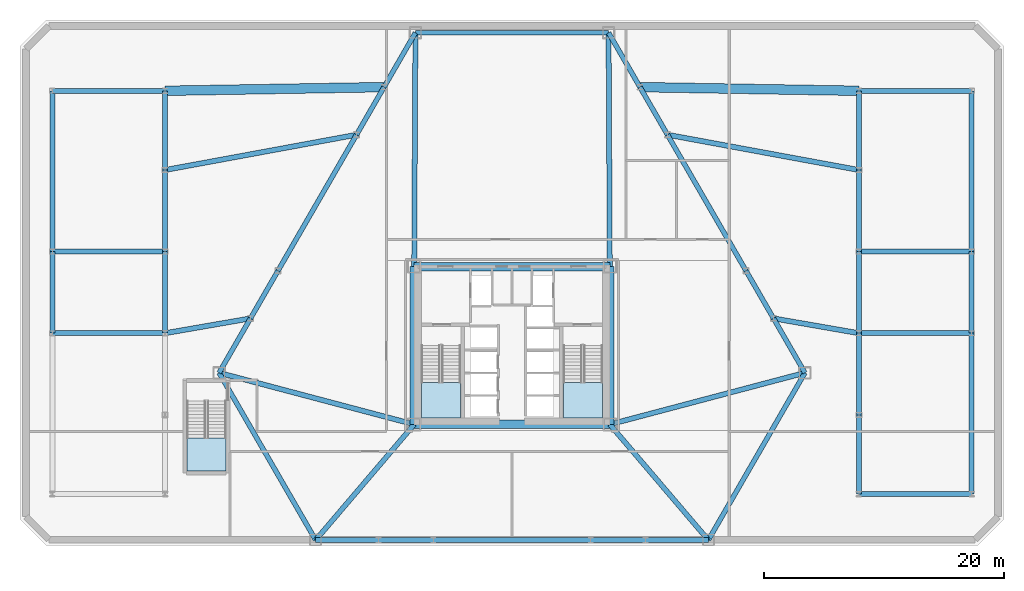
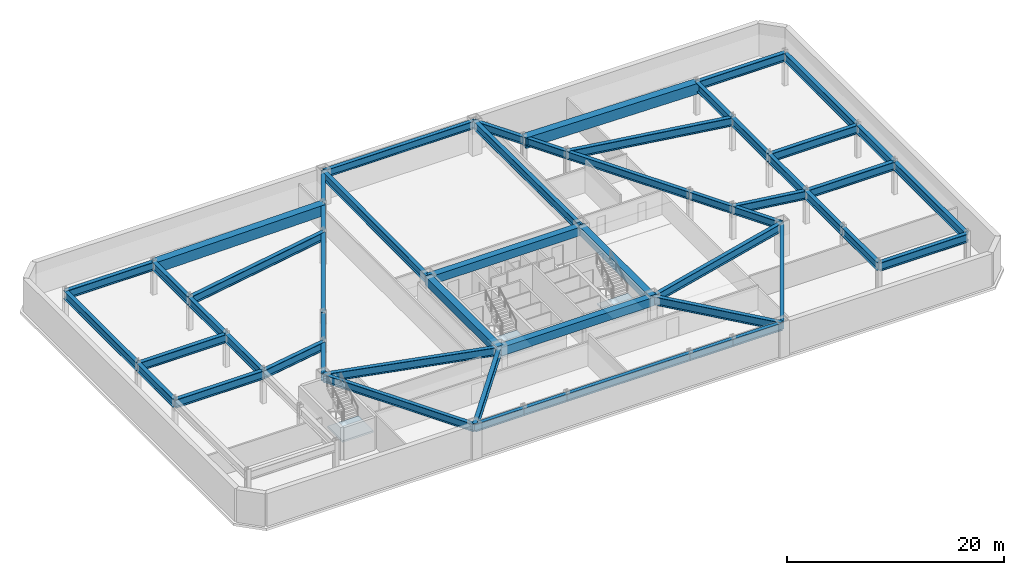
# One storey, part 3 of 10: 54 beams, 3 slabs, 3 elements without a shape of their own.
"""IFC4 building model written with IfcOpenShell, lengths in metres."""

from ifc_helpers import new_model, si_unit, direction, frame, origin, origin_2d, place, context, subcontext, project, spatial, polyline, rectangle, hollow_rectangle, i_section, outline, extrude, material, layer, layer_set, material_profile, profile_set, type_object, element, aggregate, save


model = new_model("IFC4")

# Units and contexts
model_context = context("Model", 3, precision=1e-05, world=origin(), true_north=direction((0.0, 1.0)))
body_context = subcontext(model_context, "Body", "Model", "MODEL_VIEW")
ifc_project = project(units=[si_unit("LENGTHUNIT", "METRE"), si_unit("AREAUNIT", "SQUARE_METRE"), si_unit("VOLUMEUNIT", "CUBIC_METRE"), si_unit("PLANEANGLEUNIT", "RADIAN"), si_unit("MASSUNIT", "GRAM", prefix="KILO")], contexts=[model_context])

# Site, building, storey
site_placement = place(None, origin())
site = spatial("IfcSite", under=ifc_project, at=site_placement, CompositionType="ELEMENT")
building_placement = place(site_placement, origin())
building = spatial("IfcBuilding", under=site, at=building_placement, Name="Oramaril Tower", CompositionType="ELEMENT")
storey_placement = place(building_placement, frame((0.0, 0.0, -4.0)))
storey = spatial("IfcBuildingStorey", under=building, at=storey_placement, Name="B01", CompositionType="ELEMENT", Elevation=-4.0)

# Beams
ifc_material_1 = material(Name="Concrete C50/60", Category="concrete")
ifc_material_profile_1 = material_profile(ifc_material_1, rectangle(XDim=0.699951171875, YDim=0.949951171875, at=origin_2d()), Name="CB700X950")
ifc_profile_set_1 = profile_set([ifc_material_profile_1], Name="Concrete C50/60")
beam_type_1 = type_object("IfcBeamType", Name="BT-CB1", PredefinedType="BEAM", material=ifc_profile_set_1)
beam_1_placement = place(storey_placement, frame((29.35009765625, 11.0, 3.205078125), z_axis=(1.0, 0.0, 0.0), x_axis=(0.0, 1.0, 0.0)))
element("IfcBeam", 1, at=beam_1_placement, inside=storey, type_object=beam_type_1, Name="B01 Core Header Beam CB-1", PredefinedType="BEAM", context=body_context, shape_type="SweptSolid", body=[
    extrude(rectangle(XDim=0.699951171875, YDim=0.949951171875, at=origin_2d()), origin(), (0.0, 0.0, 1.0), 16.2998046875),
])
beam_2_placement = place(storey_placement, frame((45.64990234375, 11.0, 3.205078125), z_axis=(0.0, 1.0, 0.0), x_axis=(-1.0, 0.0, 0.0)))
element("IfcBeam", 2, at=beam_2_placement, inside=storey, type_object=beam_type_1, Name="B01 Core Header Beam CB-2", PredefinedType="BEAM", context=body_context, shape_type="SweptSolid", body=[
    extrude(rectangle(XDim=0.699951171875, YDim=0.949951171875, at=origin_2d()), origin(), (0.0, 0.0, 1.0), 13.14990234375),
])
beam_3_placement = place(storey_placement, frame((45.64990234375, 24.14990234375, 3.205078125), z_axis=(-1.0, 0.0, 0.0), x_axis=(0.0, -1.0, 0.0)))
element("IfcBeam", 3, at=beam_3_placement, inside=storey, type_object=beam_type_1, Name="B01 Core Header Beam CB-3", PredefinedType="BEAM", context=body_context, shape_type="SweptSolid", body=[
    extrude(rectangle(XDim=0.699951171875, YDim=0.949951171875, at=origin_2d()), origin(), (0.0, 0.0, 1.0), 16.2998046875),
])
beam_4_placement = place(storey_placement, frame((29.35009765625, 24.14990234375, 3.205078125), z_axis=(0.0, -1.0, 0.0), x_axis=(1.0, 0.0, 0.0)))
element("IfcBeam", 4, at=beam_4_placement, inside=storey, type_object=beam_type_1, Name="B01 Core Header Beam CB-4", PredefinedType="BEAM", context=body_context, shape_type="SweptSolid", body=[
    extrude(rectangle(XDim=0.699951171875, YDim=0.949951171875, at=origin_2d()), origin(), (0.0, 0.0, 1.0), 13.14990234375),
])
ifc_material_2 = material(Name="Steel ASTM A572 Gr 50", Category="steel")
ifc_material_profile_2 = material_profile(ifc_material_2, i_section(OverallWidth=0.424072265625, OverallDepth=0.947021484375, WebThickness=0.02392578125, FlangeThickness=0.042724609375, at=origin_2d()), Name="W36X302")
ifc_profile_set_2 = profile_set([ifc_material_profile_2], Name="Steel ASTM A572 Gr 50")
beam_type_2 = type_object("IfcBeamType", Name="BT-PG1", PredefinedType="BEAM", material=ifc_profile_set_2)
beam_5_placement = place(storey_placement, frame((8.60009765625, 18.60009765625, 3.20654296875), z_axis=(0.985251471122, 0.171112649011, 0.0), x_axis=(-0.171112649011, 0.985251471122, 0.0)))
element("IfcBeam", 5, at=beam_5_placement, inside=storey, type_object=beam_type_2, Name="B01 Podium Clear-Span Girder 03", PredefinedType="BEAM", context=body_context, shape_type="SweptSolid", body=[
    extrude(i_section(OverallWidth=0.424072265625, OverallDepth=0.947021484375, WebThickness=0.02392578125, FlangeThickness=0.042724609375, at=origin_2d()), origin(), (0.0, 0.0, 1.0), 7.2138671875),
])
beam_6_placement = place(storey_placement, frame((8.60009765625, 32.199951171875, 3.20654296875), z_axis=(0.983441112449, 0.181227973404, 0.0), x_axis=(-0.181227973404, 0.983441112449, 0.0)))
element("IfcBeam", 6, at=beam_6_placement, inside=storey, type_object=beam_type_2, Name="B01 Podium Clear-Span Girder 05", PredefinedType="BEAM", context=body_context, shape_type="SweptSolid", body=[
    extrude(i_section(OverallWidth=0.424072265625, OverallDepth=0.947021484375, WebThickness=0.02392578125, FlangeThickness=0.042724609375, at=origin_2d()), origin(), (0.0, 0.0, 1.0), 16.211669921875),
])
beam_7_placement = place(storey_placement, frame((66.39990234375, 18.60009765625, 3.20654296875), z_axis=(-0.985251471122, 0.171112649011, 0.0), x_axis=(-0.171112649011, -0.985251471122, 0.0)))
element("IfcBeam", 7, at=beam_7_placement, inside=storey, type_object=beam_type_2, Name="B01 Podium Clear-Span Girder 09", PredefinedType="BEAM", context=body_context, shape_type="SweptSolid", body=[
    extrude(i_section(OverallWidth=0.424072265625, OverallDepth=0.947021484375, WebThickness=0.02392578125, FlangeThickness=0.042724609375, at=origin_2d()), origin(), (0.0, 0.0, 1.0), 7.2138671875),
])
beam_8_placement = place(storey_placement, frame((66.39990234375, 32.199951171875, 3.20654296875), z_axis=(-0.983441112449, 0.181227973404, 0.0), x_axis=(-0.181227973404, -0.983441112449, 0.0)))
element("IfcBeam", 8, at=beam_8_placement, inside=storey, type_object=beam_type_2, Name="B01 Podium Clear-Span Girder 11", PredefinedType="BEAM", context=body_context, shape_type="SweptSolid", body=[
    extrude(i_section(OverallWidth=0.424072265625, OverallDepth=0.947021484375, WebThickness=0.02392578125, FlangeThickness=0.042724609375, at=origin_2d()), origin(), (0.0, 0.0, 1.0), 16.211669921875),
])
for number, where, z_axis, x_axis, name in (
    (9, (-0.800048828125, 18.60009765625, 3.20654296875), (1.0, 0.0, 0.0), (0.0, 1.0, 0.0), "B01 Wing Transverse Girder 02"),
    (10, (-0.800048828125, 25.39990234375, 3.20654296875), (1.0, 0.0, 0.0), (0.0, 1.0, 0.0), "B01 Wing Transverse Girder 03"),
    (11, (-0.800048828125, 38.800048828125, 3.20654296875), (1.0, 0.0, 0.0), (0.0, 1.0, 0.0), "B01 Wing Transverse Girder 04"),
    (12, (66.39990234375, 5.199951171875, 3.20654296875), (1.0, 0.0, 0.0), (0.0, 1.0, 0.0), "B01 Wing Transverse Girder 05"),
    (13, (66.39990234375, 18.60009765625, 3.20654296875), (1.0, 0.0, 0.0), (0.0, 1.0, 0.0), "B01 Wing Transverse Girder 06"),
    (14, (66.39990234375, 25.39990234375, 3.20654296875), (1.0, 0.0, 0.0), (0.0, 1.0, 0.0), "B01 Wing Transverse Girder 07"),
    (15, (66.39990234375, 38.800048828125, 3.20654296875), (1.0, 0.0, 0.0), (0.0, 1.0, 0.0), "B01 Wing Transverse Girder 08"),
):
    element("IfcBeam", number, at=place(storey_placement, frame(where, z_axis=z_axis, x_axis=x_axis)), inside=storey, type_object=beam_type_2, Name=name, PredefinedType="BEAM", context=body_context, shape_type="SweptSolid", body=[
        extrude(i_section(OverallWidth=0.424072265625, OverallDepth=0.947021484375, WebThickness=0.02392578125, FlangeThickness=0.042724609375, at=origin_2d()), origin(), (0.0, 0.0, 1.0), 9.400146484375),
    ])
ifc_material_3 = material(Name="Steel ASTM A572 Gr 50", Category="steel")
ifc_material_profile_3 = material_profile(ifc_material_3, i_section(OverallWidth=0.4189453125, OverallDepth=0.927001953125, WebThickness=0.019287109375, FlangeThickness=0.031982421875, at=origin_2d()), Name="W36X231")
ifc_profile_set_3 = profile_set([ifc_material_profile_3], Name="Steel ASTM A572 Gr 50")
beam_type_3 = type_object("IfcBeamType", Name="BT-PG2", PredefinedType="BEAM", material=ifc_profile_set_3)
beam_9_placement = place(storey_placement, frame((29.35009765625, 11.0, 3.216552734375), z_axis=(-0.966766980937, 0.255659157024, 0.0), x_axis=(-0.255659157024, -0.966766980937, 0.0)))
element("IfcBeam", 16, at=beam_9_placement, inside=storey, type_object=beam_type_3, Name="B01 Radial Primary Beam RB-01", PredefinedType="BEAM", context=body_context, shape_type="SweptSolid", body=[
    extrude(i_section(OverallWidth=0.4189453125, OverallDepth=0.927001953125, WebThickness=0.019287109375, FlangeThickness=0.031982421875, at=origin_2d()), origin(), (0.0, 0.0, 1.0), 16.819580078125),
])
for number, where, z_axis, x_axis, name in (
    (17, (29.35009765625, 11.0, 3.216552734375), (-0.64848466157, -0.761227721322, 0.0), (0.761227721322, -0.64848466157, 0.0), "B01 Radial Primary Beam RB-02"),
    (18, (45.64990234375, 11.0, 3.216552734375), (0.64848466157, -0.761227721322, 0.0), (0.761227721322, 0.64848466157, 0.0), "B01 Radial Primary Beam RB-03"),
):
    element("IfcBeam", number, at=place(storey_placement, frame(where, z_axis=z_axis, x_axis=x_axis)), inside=storey, type_object=beam_type_3, Name=name, PredefinedType="BEAM", context=body_context, shape_type="SweptSolid", body=[
        extrude(i_section(OverallWidth=0.4189453125, OverallDepth=0.927001953125, WebThickness=0.019287109375, FlangeThickness=0.031982421875, at=origin_2d()), origin(), (0.0, 0.0, 1.0), 12.66357421875),
    ])
beam_10_placement = place(storey_placement, frame((45.64990234375, 11.0, 3.216552734375), z_axis=(0.966766980937, 0.255659157024, 0.0), x_axis=(-0.255659157024, 0.966766980937, 0.0)))
element("IfcBeam", 19, at=beam_10_placement, inside=storey, type_object=beam_type_3, Name="B01 Radial Primary Beam RB-04", PredefinedType="BEAM", context=body_context, shape_type="SweptSolid", body=[
    extrude(i_section(OverallWidth=0.4189453125, OverallDepth=0.927001953125, WebThickness=0.019287109375, FlangeThickness=0.031982421875, at=origin_2d()), origin(), (0.0, 0.0, 1.0), 16.819580078125),
])
for number, where, z_axis, x_axis, name in (
    (20, (45.64990234375, 24.14990234375, 3.216552734375), (-0.005223463456, 0.999986357622, 0.0), (-0.999986357622, -0.005223463456, 0.0), "B01 Radial Primary Beam RB-05"),
    (21, (29.35009765625, 24.14990234375, 3.216552734375), (0.005223463456, 0.999986357622, 0.0), (-0.999986357622, 0.005223463456, 0.0), "B01 Radial Primary Beam RB-06"),
):
    element("IfcBeam", number, at=place(storey_placement, frame(where, z_axis=z_axis, x_axis=x_axis)), inside=storey, type_object=beam_type_3, Name=name, PredefinedType="BEAM", context=body_context, shape_type="SweptSolid", body=[
        extrude(i_section(OverallWidth=0.4189453125, OverallDepth=0.927001953125, WebThickness=0.019287109375, FlangeThickness=0.031982421875, at=origin_2d()), origin(), (0.0, 0.0, 1.0), 19.490234375),
    ])
beam_11_placement = place(storey_placement, frame((8.60009765625, 18.60009765625, 3.216552734375), z_axis=(0.0, 1.0, 0.0), x_axis=(-1.0, 0.0, 0.0)))
element("IfcBeam", 22, at=beam_11_placement, inside=storey, type_object=beam_type_3, Name="B01 Podium Perimeter Girder 03", PredefinedType="BEAM", context=body_context, shape_type="SweptSolid", body=[
    extrude(i_section(OverallWidth=0.4189453125, OverallDepth=0.927001953125, WebThickness=0.019287109375, FlangeThickness=0.031982421875, at=origin_2d()), origin(), (0.0, 0.0, 1.0), 6.7998046875),
])
beam_12_placement = place(storey_placement, frame((8.60009765625, 25.39990234375, 3.216552734375), z_axis=(0.0, 1.0, 0.0), x_axis=(-1.0, 0.0, 0.0)))
element("IfcBeam", 23, at=beam_12_placement, inside=storey, type_object=beam_type_3, Name="B01 Podium Perimeter Girder 04", PredefinedType="BEAM", context=body_context, shape_type="SweptSolid", body=[
    extrude(i_section(OverallWidth=0.4189453125, OverallDepth=0.927001953125, WebThickness=0.019287109375, FlangeThickness=0.031982421875, at=origin_2d()), origin(), (0.0, 0.0, 1.0), 6.800048828125),
])
for number, where, z_axis, x_axis, name in (
    (24, (8.60009765625, 32.199951171875, 3.216552734375), (0.0, 1.0, 0.0), (-1.0, 0.0, 0.0), "B01 Podium Perimeter Girder 05"),
    (25, (66.39990234375, 5.199951171875, 3.216552734375), (0.0, 1.0, 0.0), (-1.0, 0.0, 0.0), "B01 Podium Perimeter Girder 07"),
):
    element("IfcBeam", number, at=place(storey_placement, frame(where, z_axis=z_axis, x_axis=x_axis)), inside=storey, type_object=beam_type_3, Name=name, PredefinedType="BEAM", context=body_context, shape_type="SweptSolid", body=[
        extrude(i_section(OverallWidth=0.4189453125, OverallDepth=0.927001953125, WebThickness=0.019287109375, FlangeThickness=0.031982421875, at=origin_2d()), origin(), (0.0, 0.0, 1.0), 6.60009765625),
    ])
beam_13_placement = place(storey_placement, frame((66.39990234375, 11.800048828125, 3.216552734375), z_axis=(0.0, 1.0, 0.0), x_axis=(-1.0, 0.0, 0.0)))
element("IfcBeam", 26, at=beam_13_placement, inside=storey, type_object=beam_type_3, Name="B01 Podium Perimeter Girder 08", PredefinedType="BEAM", context=body_context, shape_type="SweptSolid", body=[
    extrude(i_section(OverallWidth=0.4189453125, OverallDepth=0.927001953125, WebThickness=0.019287109375, FlangeThickness=0.031982421875, at=origin_2d()), origin(), (0.0, 0.0, 1.0), 6.800048828125),
])
beam_14_placement = place(storey_placement, frame((66.39990234375, 18.60009765625, 3.216552734375), z_axis=(0.0, 1.0, 0.0), x_axis=(-1.0, 0.0, 0.0)))
element("IfcBeam", 27, at=beam_14_placement, inside=storey, type_object=beam_type_3, Name="B01 Podium Perimeter Girder 09", PredefinedType="BEAM", context=body_context, shape_type="SweptSolid", body=[
    extrude(i_section(OverallWidth=0.4189453125, OverallDepth=0.927001953125, WebThickness=0.019287109375, FlangeThickness=0.031982421875, at=origin_2d()), origin(), (0.0, 0.0, 1.0), 6.7998046875),
])
beam_15_placement = place(storey_placement, frame((66.39990234375, 25.39990234375, 3.216552734375), z_axis=(0.0, 1.0, 0.0), x_axis=(-1.0, 0.0, 0.0)))
element("IfcBeam", 28, at=beam_15_placement, inside=storey, type_object=beam_type_3, Name="B01 Podium Perimeter Girder 10", PredefinedType="BEAM", context=body_context, shape_type="SweptSolid", body=[
    extrude(i_section(OverallWidth=0.4189453125, OverallDepth=0.927001953125, WebThickness=0.019287109375, FlangeThickness=0.031982421875, at=origin_2d()), origin(), (0.0, 0.0, 1.0), 6.800048828125),
])
beam_16_placement = place(storey_placement, frame((66.39990234375, 32.199951171875, 3.216552734375), z_axis=(0.0, 1.0, 0.0), x_axis=(-1.0, 0.0, 0.0)))
element("IfcBeam", 29, at=beam_16_placement, inside=storey, type_object=beam_type_3, Name="B01 Podium Perimeter Girder 11", PredefinedType="BEAM", context=body_context, shape_type="SweptSolid", body=[
    extrude(i_section(OverallWidth=0.4189453125, OverallDepth=0.927001953125, WebThickness=0.019287109375, FlangeThickness=0.031982421875, at=origin_2d()), origin(), (0.0, 0.0, 1.0), 6.60009765625),
])
beam_17_placement = place(storey_placement, frame((-0.800048828125, 18.60009765625, 3.216552734375), z_axis=(0.0, 1.0, 0.0), x_axis=(-1.0, 0.0, 0.0)))
element("IfcBeam", 30, at=beam_17_placement, inside=storey, type_object=beam_type_3, Name="B01 Wing Perimeter Girder 02", PredefinedType="BEAM", context=body_context, shape_type="SweptSolid", body=[
    extrude(i_section(OverallWidth=0.4189453125, OverallDepth=0.927001953125, WebThickness=0.019287109375, FlangeThickness=0.031982421875, at=origin_2d()), origin(), (0.0, 0.0, 1.0), 6.7998046875),
])
for number, where, z_axis, x_axis, name in (
    (31, (-0.800048828125, 25.39990234375, 3.216552734375), (0.0, 1.0, 0.0), (-1.0, 0.0, 0.0), "B01 Wing Perimeter Girder 03"),
    (32, (75.800048828125, 5.199951171875, 3.216552734375), (0.0, 1.0, 0.0), (-1.0, 0.0, 0.0), "B01 Wing Perimeter Girder 05"),
):
    element("IfcBeam", number, at=place(storey_placement, frame(where, z_axis=z_axis, x_axis=x_axis)), inside=storey, type_object=beam_type_3, Name=name, PredefinedType="BEAM", context=body_context, shape_type="SweptSolid", body=[
        extrude(i_section(OverallWidth=0.4189453125, OverallDepth=0.927001953125, WebThickness=0.019287109375, FlangeThickness=0.031982421875, at=origin_2d()), origin(), (0.0, 0.0, 1.0), 13.400146484375),
    ])
beam_18_placement = place(storey_placement, frame((75.800048828125, 18.60009765625, 3.216552734375), z_axis=(0.0, 1.0, 0.0), x_axis=(-1.0, 0.0, 0.0)))
element("IfcBeam", 33, at=beam_18_placement, inside=storey, type_object=beam_type_3, Name="B01 Wing Perimeter Girder 06", PredefinedType="BEAM", context=body_context, shape_type="SweptSolid", body=[
    extrude(i_section(OverallWidth=0.4189453125, OverallDepth=0.927001953125, WebThickness=0.019287109375, FlangeThickness=0.031982421875, at=origin_2d()), origin(), (0.0, 0.0, 1.0), 6.7998046875),
])
beam_19_placement = place(storey_placement, frame((75.800048828125, 25.39990234375, 3.216552734375), z_axis=(0.0, 1.0, 0.0), x_axis=(-1.0, 0.0, 0.0)))
element("IfcBeam", 34, at=beam_19_placement, inside=storey, type_object=beam_type_3, Name="B01 Wing Perimeter Girder 07", PredefinedType="BEAM", context=body_context, shape_type="SweptSolid", body=[
    extrude(i_section(OverallWidth=0.4189453125, OverallDepth=0.927001953125, WebThickness=0.019287109375, FlangeThickness=0.031982421875, at=origin_2d()), origin(), (0.0, 0.0, 1.0), 13.400146484375),
])
ifc_material_4 = material(Name="Steel ASTM A572 Gr 50", Category="steel")
ifc_material_profile_4 = material_profile(ifc_material_4, i_section(OverallWidth=0.40087890625, OverallDepth=0.85595703125, WebThickness=0.018310546875, FlangeThickness=0.029296875, at=origin_2d()), Name="W33X201")
ifc_profile_set_4 = profile_set([ifc_material_profile_4], Name="Steel ASTM A572 Gr 50")
beam_type_4 = type_object("IfcBeamType", Name="BT-SP1", PredefinedType="SPANDREL", material=ifc_profile_set_4)
beam_20_placement = place(storey_placement, frame((13.089599609375, 15.300048828125, 3.251953125), z_axis=(0.500005168208, -0.866022419898, 0.0), x_axis=(0.866022419898, 0.500005168208, 0.0)))
element("IfcBeam", 35, at=beam_20_placement, inside=storey, type_object=beam_type_4, Name="B01 Perimeter Spandrel 01", PredefinedType="SPANDREL", context=body_context, shape_type="SweptSolid", body=[
    extrude(i_section(OverallWidth=0.40087890625, OverallDepth=0.85595703125, WebThickness=0.018310546875, FlangeThickness=0.029296875, at=origin_2d()), origin(), (0.0, 0.0, 1.0), 16.096435546875),
])
beam_21_placement = place(storey_placement, frame((21.137939453125, 1.360107421875, 3.251953125), z_axis=(1.0, 0.0, 0.0), x_axis=(0.0, 1.0, 0.0)))
element("IfcBeam", 36, at=beam_21_placement, inside=storey, type_object=beam_type_4, Name="B01 Perimeter Spandrel 02", PredefinedType="SPANDREL", context=body_context, shape_type="SweptSolid", body=[
    extrude(i_section(OverallWidth=0.40087890625, OverallDepth=0.85595703125, WebThickness=0.018310546875, FlangeThickness=0.029296875, at=origin_2d()), origin(), (0.0, 0.0, 1.0), 5.23583984375),
])
beam_22_placement = place(storey_placement, frame((26.373779296875, 1.360107421875, 3.251953125), z_axis=(1.0, 0.0, 0.0), x_axis=(0.0, 1.0, 0.0)))
element("IfcBeam", 37, at=beam_22_placement, inside=storey, type_object=beam_type_4, Name="B01 Perimeter Spandrel 03", PredefinedType="SPANDREL", context=body_context, shape_type="SweptSolid", body=[
    extrude(i_section(OverallWidth=0.40087890625, OverallDepth=0.85595703125, WebThickness=0.018310546875, FlangeThickness=0.029296875, at=origin_2d()), origin(), (0.0, 0.0, 1.0), 4.581298828125),
])
beam_23_placement = place(storey_placement, frame((30.955078125, 1.360107421875, 3.251953125), z_axis=(1.0, 0.0, 0.0), x_axis=(0.0, 1.0, 0.0)))
element("IfcBeam", 38, at=beam_23_placement, inside=storey, type_object=beam_type_4, Name="B01 Perimeter Spandrel 04", PredefinedType="SPANDREL", context=body_context, shape_type="SweptSolid", body=[
    extrude(i_section(OverallWidth=0.40087890625, OverallDepth=0.85595703125, WebThickness=0.018310546875, FlangeThickness=0.029296875, at=origin_2d()), origin(), (0.0, 0.0, 1.0), 13.08984375),
])
beam_24_placement = place(storey_placement, frame((44.044921875, 1.360107421875, 3.251953125), z_axis=(1.0, 0.0, 0.0), x_axis=(0.0, 1.0, 0.0)))
element("IfcBeam", 39, at=beam_24_placement, inside=storey, type_object=beam_type_4, Name="B01 Perimeter Spandrel 05", PredefinedType="SPANDREL", context=body_context, shape_type="SweptSolid", body=[
    extrude(i_section(OverallWidth=0.40087890625, OverallDepth=0.85595703125, WebThickness=0.018310546875, FlangeThickness=0.029296875, at=origin_2d()), origin(), (0.0, 0.0, 1.0), 4.581298828125),
])
beam_25_placement = place(storey_placement, frame((48.626220703125, 1.360107421875, 3.251953125), z_axis=(1.0, 0.0, 0.0), x_axis=(0.0, 1.0, 0.0)))
element("IfcBeam", 40, at=beam_25_placement, inside=storey, type_object=beam_type_4, Name="B01 Perimeter Spandrel 06", PredefinedType="SPANDREL", context=body_context, shape_type="SweptSolid", body=[
    extrude(i_section(OverallWidth=0.40087890625, OverallDepth=0.85595703125, WebThickness=0.018310546875, FlangeThickness=0.029296875, at=origin_2d()), origin(), (0.0, 0.0, 1.0), 5.23583984375),
])
beam_26_placement = place(storey_placement, frame((53.862060546875, 1.360107421875, 3.251953125), z_axis=(0.500005168208, 0.866022419898, 0.0), x_axis=(-0.866022419898, 0.500005168208, 0.0)))
element("IfcBeam", 41, at=beam_26_placement, inside=storey, type_object=beam_type_4, Name="B01 Perimeter Spandrel 07", PredefinedType="SPANDREL", context=body_context, shape_type="SweptSolid", body=[
    extrude(i_section(OverallWidth=0.40087890625, OverallDepth=0.85595703125, WebThickness=0.018310546875, FlangeThickness=0.029296875, at=origin_2d()), origin(), (0.0, 0.0, 1.0), 16.096435546875),
])
beam_27_placement = place(storey_placement, frame((61.910400390625, 15.300048828125, 3.251953125), z_axis=(-0.499995574394, 0.866027958894, 0.0), x_axis=(-0.866027958894, -0.499995574394, 0.0)))
element("IfcBeam", 42, at=beam_27_placement, inside=storey, type_object=beam_type_4, Name="B01 Perimeter Spandrel 08", PredefinedType="SPANDREL", context=body_context, shape_type="SweptSolid", body=[
    extrude(i_section(OverallWidth=0.40087890625, OverallDepth=0.85595703125, WebThickness=0.018310546875, FlangeThickness=0.029296875, at=origin_2d()), origin(), (0.0, 0.0, 1.0), 5.23583984375),
])
beam_28_placement = place(storey_placement, frame((59.29248046875, 19.83447265625, 3.251953125), z_axis=(-0.500019215235, 0.866014309579, 0.0), x_axis=(-0.866014309579, -0.500019215235, 0.0)))
element("IfcBeam", 43, at=beam_28_placement, inside=storey, type_object=beam_type_4, Name="B01 Perimeter Spandrel 09", PredefinedType="SPANDREL", context=body_context, shape_type="SweptSolid", body=[
    extrude(i_section(OverallWidth=0.40087890625, OverallDepth=0.85595703125, WebThickness=0.018310546875, FlangeThickness=0.029296875, at=origin_2d()), origin(), (0.0, 0.0, 1.0), 4.581298828125),
])
beam_29_placement = place(storey_placement, frame((57.001708984375, 23.802001953125, 3.251953125), z_axis=(-0.50000660679, 0.866021589319, 0.0), x_axis=(-0.866021589319, -0.50000660679, 0.0)))
element("IfcBeam", 44, at=beam_29_placement, inside=storey, type_object=beam_type_4, Name="B01 Perimeter Spandrel 10", PredefinedType="SPANDREL", context=body_context, shape_type="SweptSolid", body=[
    extrude(i_section(OverallWidth=0.40087890625, OverallDepth=0.85595703125, WebThickness=0.018310546875, FlangeThickness=0.029296875, at=origin_2d()), origin(), (0.0, 0.0, 1.0), 13.089599609375),
])
beam_30_placement = place(storey_placement, frame((50.456787109375, 35.137939453125, 3.251953125), z_axis=(-0.499996140324, 0.866027632158, 0.0), x_axis=(-0.866027632158, -0.499996140324, 0.0)))
element("IfcBeam", 45, at=beam_30_placement, inside=storey, type_object=beam_type_4, Name="B01 Perimeter Spandrel 11", PredefinedType="SPANDREL", context=body_context, shape_type="SweptSolid", body=[
    extrude(i_section(OverallWidth=0.40087890625, OverallDepth=0.85595703125, WebThickness=0.018310546875, FlangeThickness=0.029296875, at=origin_2d()), origin(), (0.0, 0.0, 1.0), 4.58154296875),
])
beam_31_placement = place(storey_placement, frame((48.166015625, 39.105712890625, 3.251953125), z_axis=(-0.500015765613, 0.866016301312, 0.0), x_axis=(-0.866016301312, -0.500015765613, 0.0)))
element("IfcBeam", 46, at=beam_31_placement, inside=storey, type_object=beam_type_4, Name="B01 Perimeter Spandrel 12", PredefinedType="SPANDREL", context=body_context, shape_type="SweptSolid", body=[
    extrude(i_section(OverallWidth=0.40087890625, OverallDepth=0.85595703125, WebThickness=0.018310546875, FlangeThickness=0.029296875, at=origin_2d()), origin(), (0.0, 0.0, 1.0), 5.235595703125),
])
beam_32_placement = place(storey_placement, frame((45.548095703125, 43.639892578125, 3.251953125), z_axis=(-1.0, 0.0, 0.0), x_axis=(0.0, -1.0, 0.0)))
element("IfcBeam", 47, at=beam_32_placement, inside=storey, type_object=beam_type_4, Name="B01 Perimeter Spandrel 13", PredefinedType="SPANDREL", context=body_context, shape_type="SweptSolid", body=[
    extrude(i_section(OverallWidth=0.40087890625, OverallDepth=0.85595703125, WebThickness=0.018310546875, FlangeThickness=0.029296875, at=origin_2d()), origin(), (0.0, 0.0, 1.0), 16.09619140625),
])
beam_33_placement = place(storey_placement, frame((29.451904296875, 43.639892578125, 3.251953125), z_axis=(-0.500015765613, -0.866016301312, 0.0), x_axis=(0.866016301312, -0.500015765613, 0.0)))
element("IfcBeam", 48, at=beam_33_placement, inside=storey, type_object=beam_type_4, Name="B01 Perimeter Spandrel 14", PredefinedType="SPANDREL", context=body_context, shape_type="SweptSolid", body=[
    extrude(i_section(OverallWidth=0.40087890625, OverallDepth=0.85595703125, WebThickness=0.018310546875, FlangeThickness=0.029296875, at=origin_2d()), origin(), (0.0, 0.0, 1.0), 5.235595703125),
])
beam_34_placement = place(storey_placement, frame((26.833984375, 39.105712890625, 3.251953125), z_axis=(-0.499996140324, -0.866027632158, 0.0), x_axis=(0.866027632158, -0.499996140324, 0.0)))
element("IfcBeam", 49, at=beam_34_placement, inside=storey, type_object=beam_type_4, Name="B01 Perimeter Spandrel 15", PredefinedType="SPANDREL", context=body_context, shape_type="SweptSolid", body=[
    extrude(i_section(OverallWidth=0.40087890625, OverallDepth=0.85595703125, WebThickness=0.018310546875, FlangeThickness=0.029296875, at=origin_2d()), origin(), (0.0, 0.0, 1.0), 4.58154296875),
])
beam_35_placement = place(storey_placement, frame((24.543212890625, 35.137939453125, 3.251953125), z_axis=(-0.50000660679, -0.866021589319, 0.0), x_axis=(0.866021589319, -0.50000660679, 0.0)))
element("IfcBeam", 50, at=beam_35_placement, inside=storey, type_object=beam_type_4, Name="B01 Perimeter Spandrel 16", PredefinedType="SPANDREL", context=body_context, shape_type="SweptSolid", body=[
    extrude(i_section(OverallWidth=0.40087890625, OverallDepth=0.85595703125, WebThickness=0.018310546875, FlangeThickness=0.029296875, at=origin_2d()), origin(), (0.0, 0.0, 1.0), 13.089599609375),
])
beam_36_placement = place(storey_placement, frame((17.998291015625, 23.802001953125, 3.251953125), z_axis=(-0.500019215235, -0.866014309579, 0.0), x_axis=(0.866014309579, -0.500019215235, 0.0)))
element("IfcBeam", 51, at=beam_36_placement, inside=storey, type_object=beam_type_4, Name="B01 Perimeter Spandrel 17", PredefinedType="SPANDREL", context=body_context, shape_type="SweptSolid", body=[
    extrude(i_section(OverallWidth=0.40087890625, OverallDepth=0.85595703125, WebThickness=0.018310546875, FlangeThickness=0.029296875, at=origin_2d()), origin(), (0.0, 0.0, 1.0), 4.581298828125),
])
beam_37_placement = place(storey_placement, frame((15.70751953125, 19.83447265625, 3.251953125), z_axis=(-0.499995574394, -0.866027958894, 0.0), x_axis=(0.866027958894, -0.499995574394, 0.0)))
element("IfcBeam", 52, at=beam_37_placement, inside=storey, type_object=beam_type_4, Name="B01 Perimeter Spandrel 18", PredefinedType="SPANDREL", context=body_context, shape_type="SweptSolid", body=[
    extrude(i_section(OverallWidth=0.40087890625, OverallDepth=0.85595703125, WebThickness=0.018310546875, FlangeThickness=0.029296875, at=origin_2d()), origin(), (0.0, 0.0, 1.0), 5.23583984375),
])
ifc_material_5 = material(Name="Steel ASTM A572 Gr 50", Category="steel")
ifc_material_profile_5 = material_profile(ifc_material_5, hollow_rectangle(XDim=0.800048828125, YDim=1.199951171875, WallThickness=0.074951171875, at=origin_2d()), Name="BOX1200X800X75")
ifc_profile_set_5 = profile_set([ifc_material_profile_5], Name="Steel ASTM A572 Gr 50")
beam_type_5 = type_object("IfcBeamType", Name="BT-TT1", PredefinedType="BEAM", material=ifc_profile_set_5)
for number, where, z_axis, x_axis, name in (
    (53, (8.60009765625, 38.800048828125, 3.080078125), (0.999859521862, 0.016761161682, 0.0), (-0.016761161682, 0.999859521862, 0.0), "B01 Podium Clear-Span Girder 06"),
    (54, (66.39990234375, 38.800048828125, 3.080078125), (-0.999859521862, 0.016761161682, 0.0), (-0.016761161682, -0.999859521862, 0.0), "B01 Podium Clear-Span Girder 12"),
):
    element("IfcBeam", number, at=place(storey_placement, frame(where, z_axis=z_axis, x_axis=x_axis)), inside=storey, type_object=beam_type_5, Name=name, PredefinedType="BEAM", context=body_context, shape_type="SweptSolid", body=[
        extrude(hollow_rectangle(XDim=0.800048828125, YDim=1.199951171875, WallThickness=0.074951171875, at=origin_2d()), origin(), (0.0, 0.0, 1.0), 18.236328125),
    ])

# Stair, slab
ifc_material_6 = material(Name="Concrete C50/60", Category="concrete")
stair_type = type_object("IfcStairType", Name="STT-DG-4000", PredefinedType="HALF_TURN_STAIR", material=ifc_material_6)
stair_1_placement = place(storey_placement, origin())
stair_1 = element("IfcStair", 55, at=stair_1_placement, inside=storey, type_object=stair_type, Name="B01 Protected PFP Exit Stair ST-1", PredefinedType="HALF_TURN_STAIR")
ifc_material_7 = material(Name="Concrete C50/60", Category="concrete")
ifc_layer = layer(ifc_material_7, 0.199951171875)
ifc_layer_set = layer_set([ifc_layer], Name="SLT-LND20")
slab_type = type_object("IfcSlabType", Name="SLT-LND20", PredefinedType="LANDING", material=ifc_layer_set)
slab_1_placement = place(storey_placement, frame((0.0, 0.0, 1.800048828125)))
slab_1 = element("IfcSlab", 56, at=slab_1_placement, type_object=slab_type, Name="ST-1 landing 1", PredefinedType="LANDING", context=body_context, shape_type="SweptSolid", body=[
    extrude(outline(polyline([(29.949951171875, 14.510009765625), (29.949951171875, 11.550048828125), (33.219970703125, 11.550048828125), (33.219970703125, 14.510009765625), (29.949951171875, 14.510009765625)])), origin(), (0.0, 0.0, 1.0), 0.199951171875),
])
aggregate(stair_1, [slab_1])

stair_2_placement = place(storey_placement, origin())
stair_2 = element("IfcStair", 57, at=stair_2_placement, inside=storey, type_object=stair_type, Name="B01 Protected PFP Exit Stair ST-2", PredefinedType="HALF_TURN_STAIR")
slab_2_placement = place(storey_placement, frame((0.0, 0.0, 1.800048828125)))
slab_2 = element("IfcSlab", 58, at=slab_2_placement, type_object=slab_type, Name="ST-2 landing 1", PredefinedType="LANDING", context=body_context, shape_type="SweptSolid", body=[
    extrude(outline(polyline([(41.780029296875, 14.510009765625), (41.780029296875, 11.550048828125), (45.050048828125, 11.550048828125), (45.050048828125, 14.510009765625), (41.780029296875, 14.510009765625)])), origin(), (0.0, 0.0, 1.0), 0.199951171875),
])
aggregate(stair_2, [slab_2])

stair_3_placement = place(storey_placement, origin())
stair_3 = element("IfcStair", 59, at=stair_3_placement, inside=storey, type_object=stair_type, Name="B01 Podium Enclosed Exit Stair ST-3", PredefinedType="HALF_TURN_STAIR")
slab_3_placement = place(storey_placement, frame((0.0, 0.0, 1.800048828125)))
slab_3 = element("IfcSlab", 60, at=slab_3_placement, type_object=slab_type, Name="ST-3 landing 1", PredefinedType="LANDING", context=body_context, shape_type="SweptSolid", body=[
    extrude(outline(polyline([(10.39990234375, 9.860107421875), (10.39990234375, 7.10009765625), (13.669921875, 7.10009765625), (13.669921875, 9.860107421875), (10.39990234375, 9.860107421875)])), origin(), (0.0, 0.0, 1.0), 0.199951171875),
])
aggregate(stair_3, [slab_3])

save(model, "model.ifc")
